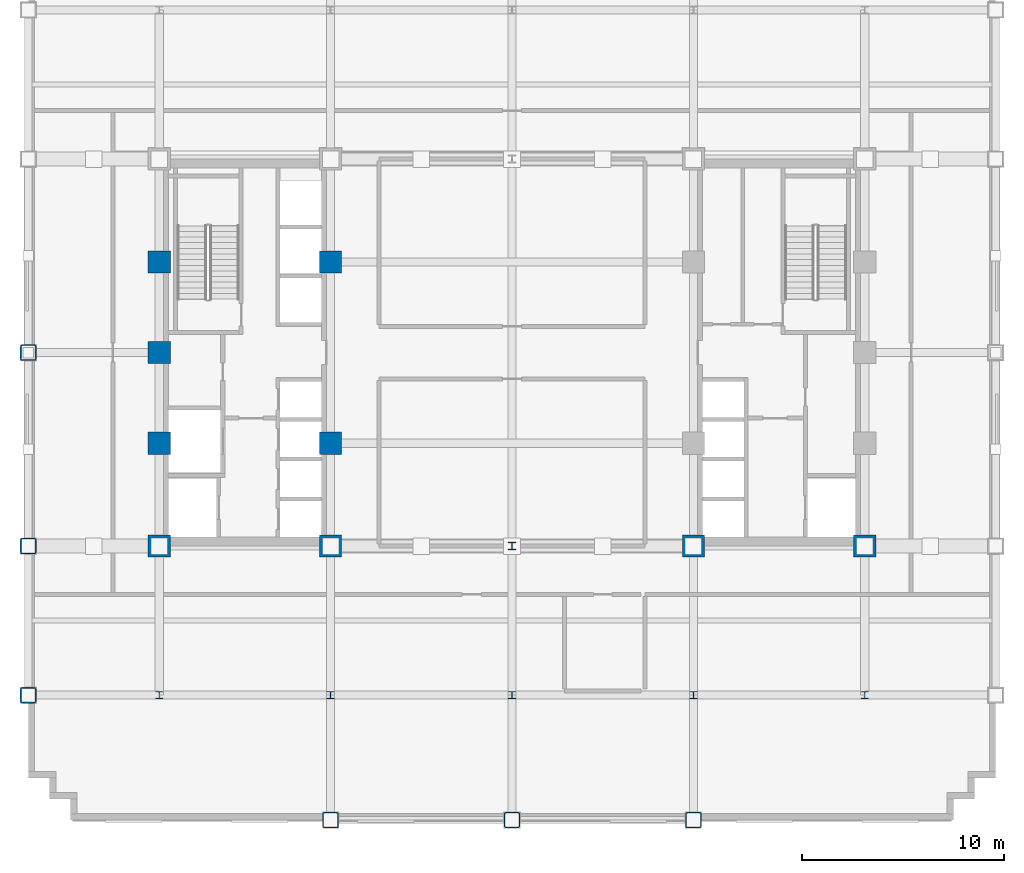
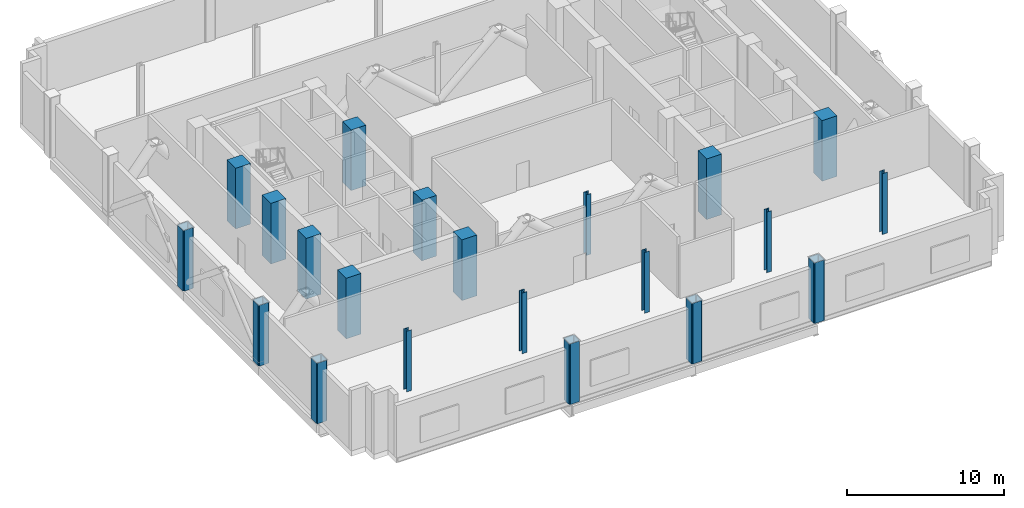
# One storey, part 1 of 12: 21 columns.
"""IFC4 building model written with IfcOpenShell, lengths in metres."""

from ifc_helpers import new_model, si_unit, direction, frame, origin, origin_2d, place, context, subcontext, project, spatial, rectangle, hollow_rectangle, i_section, extrude, material, material_profile, profile_set, type_object, element, save


model = new_model("IFC4")

# Units and contexts
model_context = context("Model", 3, precision=1e-05, world=origin(), true_north=direction((0.0, 1.0)))
body_context = subcontext(model_context, "Body", "Model", "MODEL_VIEW")
ifc_project = project(units=[si_unit("LENGTHUNIT", "METRE"), si_unit("AREAUNIT", "SQUARE_METRE"), si_unit("VOLUMEUNIT", "CUBIC_METRE"), si_unit("PLANEANGLEUNIT", "RADIAN"), si_unit("MASSUNIT", "GRAM", prefix="KILO")], contexts=[model_context])

# Site, building, storey
site_placement = place(None, origin())
site = spatial("IfcSite", under=ifc_project, at=site_placement, CompositionType="ELEMENT")
building_placement = place(site_placement, origin())
building = spatial("IfcBuilding", under=site, at=building_placement, Name="Nuvemarco Arch Tower", CompositionType="ELEMENT")
storey_placement = place(building_placement, frame((0.0, 0.0, 93.300048828125)))
storey = spatial("IfcBuildingStorey", under=building, at=storey_placement, Name="L24", CompositionType="ELEMENT", Elevation=93.300048828125)

# Columns
ifc_material_1 = material(Name="Concrete C60/75", Category="concrete")
ifc_material_profile_1 = material_profile(ifc_material_1, rectangle(XDim=1.10009765625, YDim=1.10009765625, at=origin_2d()), Name="RC-COL-1100x1100")
ifc_profile_set_1 = profile_set([ifc_material_profile_1], Name="Concrete C60/75")
column_type_1 = type_object("IfcColumnType", Name="COL-CORE-1100", PredefinedType="COLUMN", material=ifc_profile_set_1)
for number, where, z_axis, x_axis, name in (
    (1, (-17.5, -9.60009765625, 0.0), (0.0, 0.0, 1.0), (1.0, 0.0, 0.0), "L24 column CC_-17.5_-9.6"),
    (2, (-17.5, -4.5, 0.0), (0.0, 0.0, 1.0), (1.0, 0.0, 0.0), "L24 column CC_-17.5_-4.5"),
    (3, (-17.5, 4.5, 0.0), (0.0, 0.0, 1.0), (1.0, 0.0, 0.0), "L24 column CC_-17.5_+4.5"),
    (4, (-9.0, -9.60009765625, 0.0), (0.0, 0.0, 1.0), (1.0, 0.0, 0.0), "L24 column CC_-9.0_-9.6"),
    (5, (-9.0, -4.5, 0.0), (0.0, 0.0, 1.0), (1.0, 0.0, 0.0), "L24 column CC_-9.0_-4.5"),
    (6, (-9.0, 4.5, 0.0), (0.0, 0.0, 1.0), (1.0, 0.0, 0.0), "L24 column CC_-9.0_+4.5"),
    (7, (9.0, -9.60009765625, 0.0), (0.0, 0.0, 1.0), (1.0, 0.0, 0.0), "L24 column CC_+9.0_-9.6"),
    (8, (17.5, -9.60009765625, 0.0), (0.0, 0.0, 1.0), (1.0, 0.0, 0.0), "L24 column CC_+17.5_-9.6"),
    (9, (-17.5, 0.0, 0.0), (0.0, 0.0, 1.0), (1.0, 0.0, 0.0), "L24 column CC_-17.5_+0.0"),
):
    element("IfcColumn", number, at=place(storey_placement, frame(where, z_axis=z_axis, x_axis=x_axis)), inside=storey, type_object=column_type_1, Name=name, PredefinedType="COLUMN", context=body_context, shape_type="SweptSolid", body=[
        extrude(rectangle(XDim=1.10009765625, YDim=1.10009765625, at=origin_2d()), origin(), (0.0, 0.0, 1.0), 4.719970703125),
    ])
ifc_material_2 = material(Name="Steel S460", Category="steel")
ifc_material_profile_2 = material_profile(ifc_material_2, hollow_rectangle(XDim=0.800048828125, YDim=0.800048828125, WallThickness=0.054931640625, InnerFilletRadius=0.054931640625, OuterFilletRadius=0.110107421875, at=origin_2d()), Name="SHS800x800x55")
ifc_profile_set_2 = profile_set([ifc_material_profile_2], Name="Steel S460")
column_type_2 = type_object("IfcColumnType", Name="COL-EXO-800", PredefinedType="COLUMN", material=ifc_profile_set_2)
for number, where, z_axis, x_axis, name in (
    (10, (-24.0, -17.0, 0.0), (0.0, 0.0, 1.0), (1.0, 0.0, 0.0), "L24 column CX_-24.0_-17.0"),
    (11, (-24.0, -9.60009765625, 0.0), (0.0, 0.0, 1.0), (1.0, 0.0, 0.0), "L24 column CX_-24.0_-9.6"),
    (12, (-24.0, 0.0, 0.0), (0.0, 0.0, 1.0), (1.0, 0.0, 0.0), "L24 column CX_-24.0_+0.0"),
    (13, (-9.0, -23.199951171875, 0.0), (0.0, 0.0, 1.0), (1.0, 0.0, 0.0), "L24 column CY_-9.0_-23.2"),
    (14, (0.0, -23.199951171875, 0.0), (0.0, 0.0, 1.0), (1.0, 0.0, 0.0), "L24 column CY_+0.0_-23.2"),
    (15, (9.0, -23.199951171875, 0.0), (0.0, 0.0, 1.0), (1.0, 0.0, 0.0), "L24 column CY_+9.0_-23.2"),
):
    element("IfcColumn", number, at=place(storey_placement, frame(where, z_axis=z_axis, x_axis=x_axis)), inside=storey, type_object=column_type_2, Name=name, PredefinedType="COLUMN", context=body_context, shape_type="SweptSolid", body=[
        extrude(hollow_rectangle(XDim=0.800048828125, YDim=0.800048828125, WallThickness=0.054931640625, InnerFilletRadius=0.054931640625, OuterFilletRadius=0.110107421875, at=origin_2d()), origin(), (0.0, 0.0, 1.0), 4.719970703125),
    ])
ifc_material_3 = material(Name="Steel S355", Category="steel")
ifc_material_profile_3 = material_profile(ifc_material_3, i_section(OverallWidth=0.360107421875, OverallDepth=0.360107421875, WebThickness=0.0205078125, FlangeThickness=0.0205078125, FilletRadius=0.01806640625, at=origin_2d()), Name="HP360x174")
ifc_profile_set_3 = profile_set([ifc_material_profile_3], Name="Steel S355")
column_type_3 = type_object("IfcColumnType", Name="COL-STL-HP360", PredefinedType="COLUMN", material=ifc_profile_set_3)
for number, where, z_axis, x_axis, name in (
    (16, (0.0, -17.0, 0.0), (0.0, 0.0, 1.0), (1.0, 0.0, 0.0), "L24 column CI_+0.0_-17.0"),
    (17, (0.0, -9.60009765625, 0.0), (0.0, 0.0, 1.0), (1.0, 0.0, 0.0), "L24 column CI_+0.0_-9.6"),
    (18, (-17.5, -17.0, 0.0), (0.0, 0.0, 1.0), (1.0, 0.0, 0.0), "L24 column CI_-17.5_-17.0"),
    (19, (-9.0, -17.0, 0.0), (0.0, 0.0, 1.0), (1.0, 0.0, 0.0), "L24 column CI_-9.0_-17.0"),
    (20, (9.0, -17.0, 0.0), (0.0, 0.0, 1.0), (1.0, 0.0, 0.0), "L24 column CI_+9.0_-17.0"),
    (21, (17.5, -17.0, 0.0), (0.0, 0.0, 1.0), (1.0, 0.0, 0.0), "L24 column CI_+17.5_-17.0"),
):
    element("IfcColumn", number, at=place(storey_placement, frame(where, z_axis=z_axis, x_axis=x_axis)), inside=storey, type_object=column_type_3, Name=name, PredefinedType="COLUMN", context=body_context, shape_type="SweptSolid", body=[
        extrude(i_section(OverallWidth=0.360107421875, OverallDepth=0.360107421875, WebThickness=0.0205078125, FlangeThickness=0.0205078125, FilletRadius=0.01806640625, at=origin_2d()), origin(), (0.0, 0.0, 1.0), 4.719970703125),
    ])

save(model, "model.ifc")
